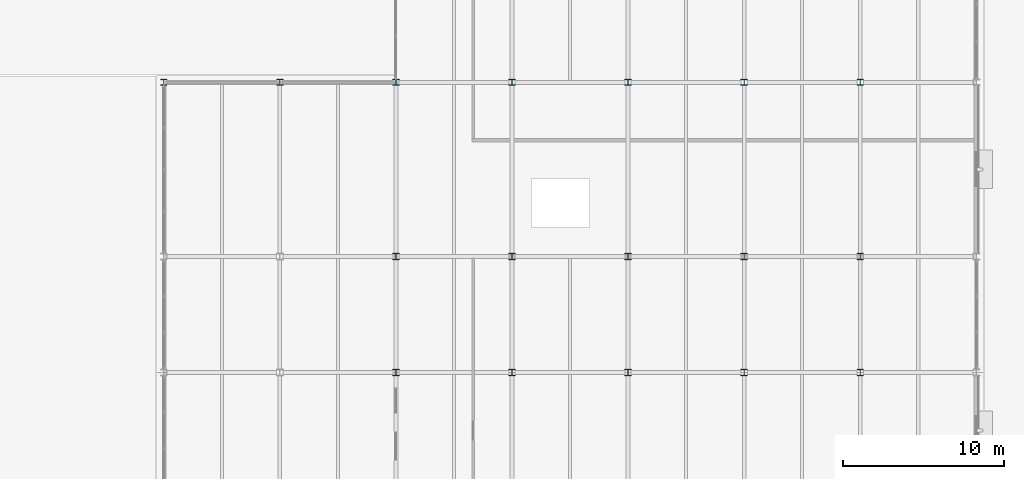
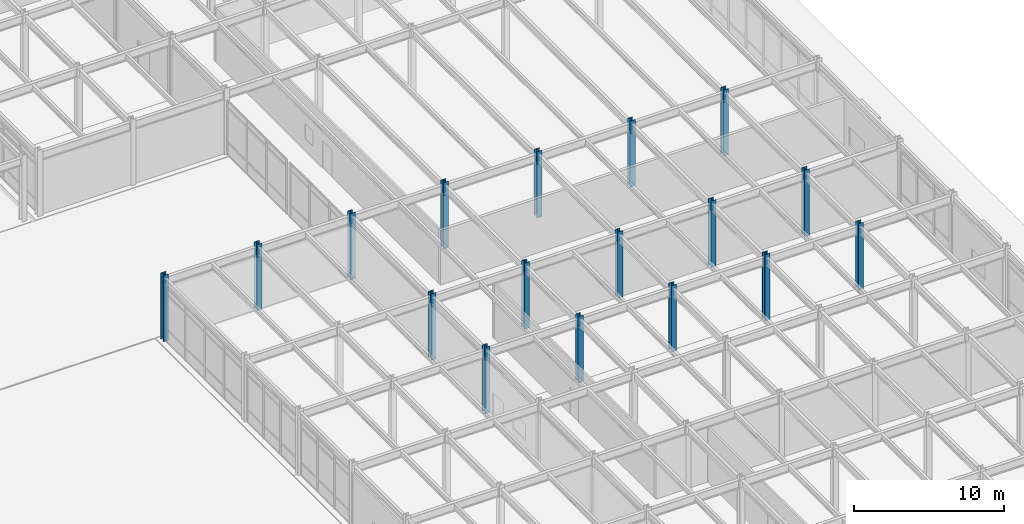
# One storey, part 13 of 104: 17 columns.
"""IFC4 building model written with IfcOpenShell, lengths in metres."""

from ifc_helpers import new_model, si_unit, direction, frame, origin, origin_2d, place, context, subcontext, project, spatial, i_section, extrude, material, material_profile, profile_set, type_object, element, save


model = new_model("IFC4")

# Units and contexts
model_context = context("Model", 3, precision=1e-05, world=origin(), true_north=direction((0.0, 1.0)))
body_context = subcontext(model_context, "Body", "Model", "MODEL_VIEW")
ifc_project = project(units=[si_unit("LENGTHUNIT", "METRE"), si_unit("AREAUNIT", "SQUARE_METRE"), si_unit("VOLUMEUNIT", "CUBIC_METRE"), si_unit("PLANEANGLEUNIT", "RADIAN"), si_unit("MASSUNIT", "GRAM", prefix="KILO")], contexts=[model_context])

# Site, building, storey
site_placement = place(None, origin())
site = spatial("IfcSite", under=ifc_project, at=site_placement, CompositionType="ELEMENT")
building_placement = place(site_placement, origin())
building = spatial("IfcBuilding", under=site, at=building_placement, Name="Vaelcorin Mobility Hub", CompositionType="ELEMENT")
storey_placement = place(building_placement, origin())
storey = spatial("IfcBuildingStorey", under=building, at=storey_placement, Name="L00", CompositionType="ELEMENT", Elevation=0.0)

# Columns
ifc_material = material(Name="Steel ASTM A992 Grade 50", Category="steel")
ifc_material_profile = material_profile(ifc_material, i_section(OverallWidth=0.39599609375, OverallDepth=0.381103515625, WebThickness=0.018798828125, FlangeThickness=0.0302734375, FilletRadius=0.014892578125, at=origin_2d()), Name="W14X159")
ifc_profile_set = profile_set([ifc_material_profile], Name="Steel ASTM A992 Grade 50")
column_type = type_object("IfcColumnType", Name="COL-W14X159", PredefinedType="COLUMN", material=ifc_profile_set)
for number, where, z_axis, x_axis, name in (
    (1, (153.60009765625, 60.0, 0.0), (0.0, 0.0, 1.0), (1.0, 0.0, 0.0), "Column V5-X01Y08 L00"),
    (2, (160.800048828125, 60.0, 0.0), (0.0, 0.0, 1.0), (1.0, 0.0, 0.0), "Column V5-X02Y08 L00"),
    (3, (168.0, 42.0, 0.0), (0.0, 0.0, 1.0), (1.0, 0.0, 0.0), "Column V5-X03Y06 L00"),
    (4, (168.0, 49.199951171875, 0.0), (0.0, 0.0, 1.0), (1.0, 0.0, 0.0), "Column V5-X03Y07 L00"),
    (5, (168.0, 60.0, 0.0), (0.0, 0.0, 1.0), (1.0, 0.0, 0.0), "Column V5-X03Y08 L00"),
    (6, (175.199951171875, 42.0, 0.0), (0.0, 0.0, 1.0), (1.0, 0.0, 0.0), "Column V5-X04Y06 L00"),
    (7, (175.199951171875, 49.199951171875, 0.0), (0.0, 0.0, 1.0), (1.0, 0.0, 0.0), "Column V5-X04Y07 L00"),
    (8, (175.199951171875, 60.0, 0.0), (0.0, 0.0, 1.0), (1.0, 0.0, 0.0), "Column V5-X04Y08 L00"),
    (9, (182.39990234375, 42.0, 0.0), (0.0, 0.0, 1.0), (1.0, 0.0, 0.0), "Column V5-X05Y06 L00"),
    (10, (182.39990234375, 49.199951171875, 0.0), (0.0, 0.0, 1.0), (1.0, 0.0, 0.0), "Column V5-X05Y07 L00"),
    (11, (182.39990234375, 60.0, 0.0), (0.0, 0.0, 1.0), (1.0, 0.0, 0.0), "Column V5-X05Y08 L00"),
    (12, (189.60009765625, 42.0, 0.0), (0.0, 0.0, 1.0), (1.0, 0.0, 0.0), "Column V5-X06Y06 L00"),
    (13, (189.60009765625, 49.199951171875, 0.0), (0.0, 0.0, 1.0), (1.0, 0.0, 0.0), "Column V5-X06Y07 L00"),
    (14, (189.60009765625, 60.0, 0.0), (0.0, 0.0, 1.0), (1.0, 0.0, 0.0), "Column V5-X06Y08 L00"),
    (15, (196.800048828125, 42.0, 0.0), (0.0, 0.0, 1.0), (1.0, 0.0, 0.0), "Column V5-X07Y06 L00"),
    (16, (196.800048828125, 49.199951171875, 0.0), (0.0, 0.0, 1.0), (1.0, 0.0, 0.0), "Column V5-X07Y07 L00"),
    (17, (196.800048828125, 60.0, 0.0), (0.0, 0.0, 1.0), (1.0, 0.0, 0.0), "Column V5-X07Y08 L00"),
):
    element("IfcColumn", number, at=place(storey_placement, frame(where, z_axis=z_axis, x_axis=x_axis)), inside=storey, type_object=column_type, Name=name, PredefinedType="COLUMN", context=body_context, shape_type="SweptSolid", body=[
        extrude(i_section(OverallWidth=0.39599609375, OverallDepth=0.381103515625, WebThickness=0.018798828125, FlangeThickness=0.0302734375, FilletRadius=0.014892578125, at=origin_2d()), origin(), (0.0, 0.0, 1.0), 5.39990234375),
    ])

save(model, "model.ifc")
